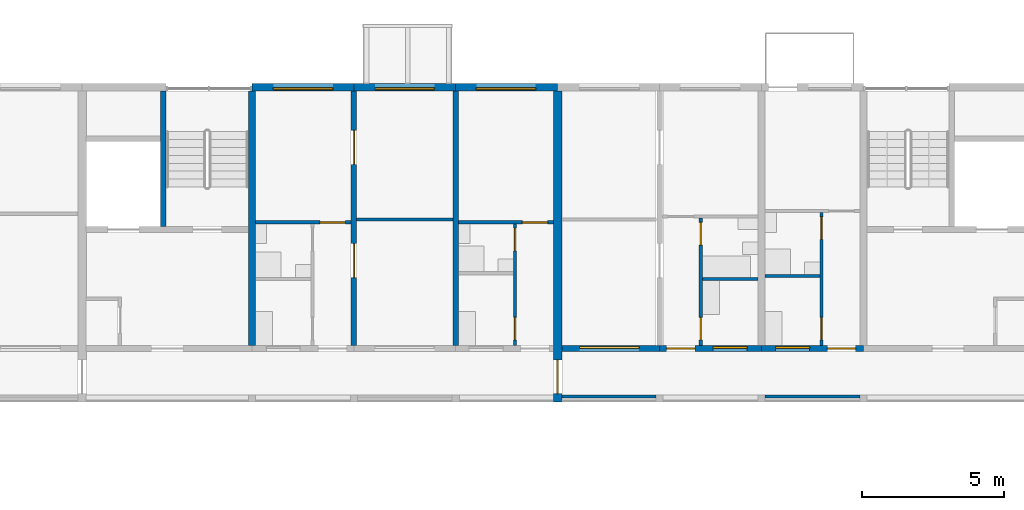
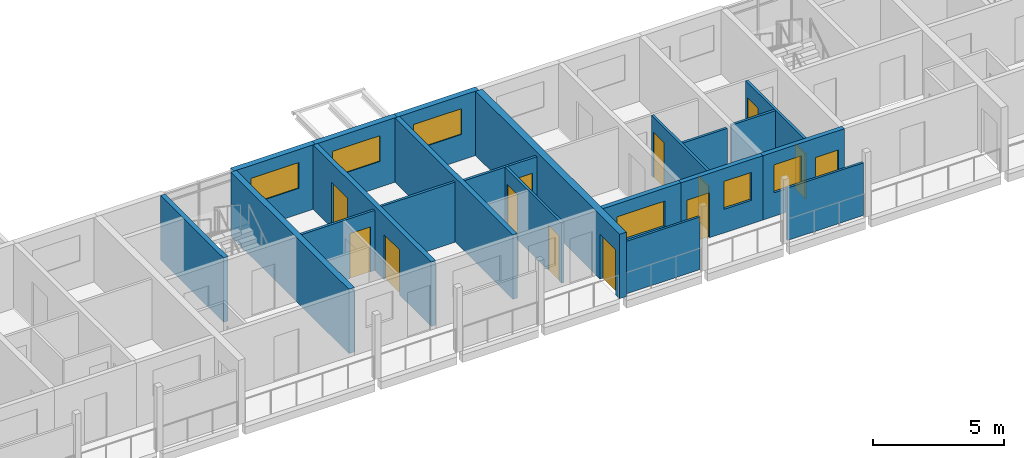
# One storey, part 63 of 122: 21 walls, 13 doors, 6 windows, 19 openings.
"""IFC4 building model written with IfcOpenShell, lengths in metres."""

from ifc_helpers import new_model, si_unit, direction, frame, frame_2d, origin, place, context, subcontext, project, spatial, rectangle, extrude, material, layer, layer_set, type_object, element, fill, save


model = new_model("IFC4")

# Units and contexts
model_context = context("Model", 3, precision=1e-05, world=origin(), true_north=direction((0.0, 1.0)))
body_context = subcontext(model_context, "Body", "Model", "MODEL_VIEW")
ifc_project = project(units=[si_unit("LENGTHUNIT", "METRE"), si_unit("AREAUNIT", "SQUARE_METRE"), si_unit("VOLUMEUNIT", "CUBIC_METRE"), si_unit("PLANEANGLEUNIT", "RADIAN"), si_unit("MASSUNIT", "GRAM", prefix="KILO")], contexts=[model_context])

# Site, building, storey
site_placement = place(None, origin())
site = spatial("IfcSite", under=ifc_project, at=site_placement, CompositionType="ELEMENT")
building_placement = place(site_placement, origin())
building = spatial("IfcBuilding", under=site, at=building_placement, Name="Ridgestep Commons", CompositionType="ELEMENT")
storey_placement = place(building_placement, frame((0.0, 0.0, 3.0)))
storey = spatial("IfcBuildingStorey", under=building, at=storey_placement, Name="L01", CompositionType="ELEMENT", Elevation=3.0)

# Walls
ifc_material_1 = material(Name="Concrete C30/37", Category="concrete")
ifc_layer_1 = layer(ifc_material_1, 0.25)
ifc_layer_set_1 = layer_set([ifc_layer_1], Name="Core cross wall 250")
wall_type_1 = type_object("IfcWallType", Name="Core cross wall 250", PredefinedType="SHEAR", material=ifc_layer_set_1)
wall_1_placement = place(storey_placement, frame((51.60009765625, 68.0, 0.0), z_axis=(0.0, 0.0, 1.0), x_axis=(0.0, 1.0, 0.0)))
element("IfcWall", 1, at=wall_1_placement, inside=storey, type_object=wall_type_1, Name="Cross wall B-01-0516", PredefinedType="SHEAR", context=body_context, shape_type="SweptSolid", body=[
    extrude(rectangle(XDim=9.0, YDim=0.25, at=frame_2d((4.5, 0.0))), origin(), (0.0, 0.0, 1.0), 3.0),
])
ifc_material_2 = material(Name="Concrete C30/37", Category="concrete")
ifc_layer_2 = layer(ifc_material_2, 0.199951171875)
ifc_layer_set_2 = layer_set([ifc_layer_2], Name="Core wall 200")
wall_type_2 = type_object("IfcWallType", Name="Core wall 200", PredefinedType="SHEAR", material=ifc_layer_set_2)
wall_2_placement = place(storey_placement, frame((48.47509765625, 72.199951171875, 0.0), z_axis=(0.0, 0.0, 1.0), x_axis=(0.0, 1.0, 0.0)))
element("IfcWall", 2, at=wall_2_placement, inside=storey, type_object=wall_type_2, Name="Core stair wall B3C L01", PredefinedType="SHEAR", context=body_context, shape_type="SweptSolid", body=[
    extrude(rectangle(XDim=4.800048828125, YDim=0.199951171875, at=frame_2d((2.39990234375, 0.0))), origin(), (0.0, 0.0, 1.0), 3.0),
])

# Wall, openings, doors
ifc_material_3 = material(Name="Precast concrete C40/50", Category="concrete")
ifc_layer_3 = layer(ifc_material_3, 0.199951171875)
ifc_layer_set_3 = layer_set([ifc_layer_3], Name="Cross wall 200")
wall_type_3 = type_object("IfcWallType", Name="Cross wall 200", PredefinedType="SHEAR", material=ifc_layer_set_3)
wall_3_placement = place(storey_placement, frame((55.199951171875, 68.0, 0.0), z_axis=(0.0, 0.0, 1.0), x_axis=(0.0, 1.0, 0.0)))
wall_3 = element("IfcWall", 3, at=wall_3_placement, inside=storey, type_object=wall_type_3, Name="Cross wall B-01-0552", PredefinedType="SHEAR", context=body_context, shape_type="SweptSolid", body=[
    extrude(rectangle(XDim=9.0, YDim=0.199951171875, at=frame_2d((4.5, 0.0))), origin(), (0.0, 0.0, 1.0), 3.0),
])
opening_1_placement = place(wall_3_placement, frame((2.39990234375, 0.0, 0.0)))
opening_1 = element("IfcOpeningElement", 4, at=opening_1_placement, cuts=wall_3, Name="Opening B3-01b/5", PredefinedType="OPENING", context=body_context, shape_type="SweptSolid", body=[
    extrude(rectangle(XDim=1.199951171875, YDim=2.10009765625, at=frame_2d((0.60009765625, 1.050048828125))), frame((0.0, 0.10986328125, 0.0), z_axis=(0.0, -1.0, 0.0), x_axis=(1.0, 0.0, 0.0)), (0.0, 0.0, 1.0), 0.219970703125),
])
opening_2_placement = place(wall_3_placement, frame((6.39990234375, 0.0, 0.0)))
opening_2 = element("IfcOpeningElement", 5, at=opening_2_placement, cuts=wall_3, Name="Opening B3-01b/6", PredefinedType="OPENING", context=body_context, shape_type="SweptSolid", body=[
    extrude(rectangle(XDim=1.199951171875, YDim=2.10009765625, at=frame_2d((0.60009765625, 1.050048828125))), frame((0.0, 0.10986328125, 0.0), z_axis=(0.0, -1.0, 0.0), x_axis=(1.0, 0.0, 0.0)), (0.0, 0.0, 1.0), 0.219970703125),
])
ifc_material_4 = material(Name="Timber door leaf", Category="wood")
door_type_1 = type_object("IfcDoorType", Name="Double door 1200 x 2100", OperationType="DOUBLE_DOOR_SINGLE_SWING", PredefinedType="DOOR", material=ifc_material_4)
door_1_placement = place(opening_1_placement, origin())
door_1 = element("IfcDoor", 6, at=door_1_placement, inside=storey, type_object=door_type_1, Name="Double door B3-01b/5", OperationType="DOUBLE_DOOR_SINGLE_SWING", OverallHeight=2.10009765625, OverallWidth=1.199951171875, PredefinedType="DOOR", context=body_context, shape_type="SweptSolid", body=[
    extrude(rectangle(XDim=1.199951171875, YDim=2.10009765625, at=frame_2d((0.60009765625, 1.050048828125))), frame((0.0, 0.02490234375, 0.0), z_axis=(0.0, -1.0, 0.0), x_axis=(1.0, 0.0, 0.0)), (0.0, 0.0, 1.0), 0.050048828125),
])
fill(opening_1, door_1)
door_2_placement = place(opening_2_placement, origin())
door_2 = element("IfcDoor", 7, at=door_2_placement, inside=storey, type_object=door_type_1, Name="Double door B3-01b/6", OperationType="DOUBLE_DOOR_SINGLE_SWING", OverallHeight=2.10009765625, OverallWidth=1.199951171875, PredefinedType="DOOR", context=body_context, shape_type="SweptSolid", body=[
    extrude(rectangle(XDim=1.199951171875, YDim=2.10009765625, at=frame_2d((0.60009765625, 1.050048828125))), frame((0.0, 0.02490234375, 0.0), z_axis=(0.0, -1.0, 0.0), x_axis=(1.0, 0.0, 0.0)), (0.0, 0.0, 1.0), 0.050048828125),
])
fill(opening_2, door_2)

# Wall
wall_4_placement = place(storey_placement, frame((58.800048828125, 68.0, 0.0), z_axis=(0.0, 0.0, 1.0), x_axis=(0.0, 1.0, 0.0)))
element("IfcWall", 8, at=wall_4_placement, inside=storey, type_object=wall_type_3, Name="Cross wall B-01-0588", PredefinedType="SHEAR", context=body_context, shape_type="SweptSolid", body=[
    extrude(rectangle(XDim=9.0, YDim=0.199951171875, at=frame_2d((4.5, 0.0))), origin(), (0.0, 0.0, 1.0), 3.0),
])

# Wall, opening, door
ifc_material_5 = material(Name="Precast concrete C40/50", Category="concrete")
ifc_layer_4 = layer(ifc_material_5, 0.300048828125)
ifc_layer_set_4 = layer_set([ifc_layer_4], Name="Division wall 300")
wall_type_4 = type_object("IfcWallType", Name="Division wall 300", PredefinedType="SHEAR", material=ifc_layer_set_4)
wall_5_placement = place(storey_placement, frame((62.39990234375, 66.0, 0.0), z_axis=(0.0, 0.0, 1.0), x_axis=(0.0, 1.0, 0.0)))
wall_5 = element("IfcWall", 9, at=wall_5_placement, inside=storey, type_object=wall_type_4, Name="Cross wall B-01-0624", PredefinedType="SHEAR", context=body_context, shape_type="SweptSolid", body=[
    extrude(rectangle(XDim=11.0, YDim=0.300048828125, at=frame_2d((5.5, 0.0))), origin(), (0.0, 0.0, 1.0), 3.0),
])
opening_3_placement = place(wall_5_placement, frame((0.300048828125, 0.0, 0.0)))
opening_3 = element("IfcOpeningElement", 10, at=opening_3_placement, cuts=wall_5, Name="Opening B/01/G0624", PredefinedType="OPENING", context=body_context, shape_type="SweptSolid", body=[
    extrude(rectangle(XDim=1.199951171875, YDim=2.10009765625, at=frame_2d((0.60009765625, 1.050048828125))), frame((0.0, 0.159912109375, 0.0), z_axis=(0.0, -1.0, 0.0), x_axis=(1.0, 0.0, 0.0)), (0.0, 0.0, 1.0), 0.320068359375),
])
ifc_material_6 = material(Name="Steel fire door", Category="steel")
door_type_2 = type_object("IfcDoorType", Name="Division fire door 1200 x 2100 EI 240", OperationType="DOUBLE_DOOR_SINGLE_SWING", PredefinedType="DOOR", material=ifc_material_6)
door_3_placement = place(opening_3_placement, origin())
door_3 = element("IfcDoor", 11, at=door_3_placement, inside=storey, type_object=door_type_2, Name="Division fire door B/01/G0624", OperationType="DOUBLE_DOOR_SINGLE_SWING", OverallHeight=2.10009765625, OverallWidth=1.199951171875, PredefinedType="DOOR", context=body_context, shape_type="SweptSolid", body=[
    extrude(rectangle(XDim=1.199951171875, YDim=2.10009765625, at=frame_2d((0.60009765625, 1.050048828125))), frame((0.0, 0.02490234375, 0.0), z_axis=(0.0, -1.0, 0.0), x_axis=(1.0, 0.0, 0.0)), (0.0, 0.0, 1.0), 0.050048828125),
])
fill(opening_3, door_3)

# Wall, opening, window
ifc_material_7 = material(Name="Precast concrete C40/50", Category="concrete")
ifc_layer_5 = layer(ifc_material_7, 0.25)
ifc_layer_set_5 = layer_set([ifc_layer_5], Name="North facade panel 250")
wall_type_5 = type_object("IfcWallType", Name="North facade panel 250", PredefinedType="SOLIDWALL", material=ifc_layer_set_5)
wall_6_placement = place(storey_placement, frame((51.60009765625, 77.125, 0.0), z_axis=(0.0, 0.0, 1.0), x_axis=(1.0, 0.0, 0.0)))
wall_6 = element("IfcWall", 12, at=wall_6_placement, inside=storey, type_object=wall_type_5, Name="North panel B3T3 L01", PredefinedType="SOLIDWALL", context=body_context, shape_type="SweptSolid", body=[
    extrude(rectangle(XDim=3.599853515625, YDim=0.25, at=frame_2d((1.7998046875, 0.0))), origin(), (0.0, 0.0, 1.0), 3.0),
])
opening_4_placement = place(wall_6_placement, frame((0.762451171875, 0.0, 1.199951171875)))
opening_4 = element("IfcOpeningElement", 13, at=opening_4_placement, cuts=wall_6, Name="Opening W22", PredefinedType="OPENING", context=body_context, shape_type="SweptSolid", body=[
    extrude(rectangle(XDim=2.10009765625, YDim=1.199951171875, at=frame_2d((1.050048828125, 0.60009765625))), frame((0.0, 0.135009765625, 0.0), z_axis=(0.0, -1.0, 0.0), x_axis=(1.0, 0.0, 0.0)), (0.0, 0.0, 1.0), 0.27001953125),
])
ifc_material_8 = material(Name="Aluminium 6063-T6 and glass", Category="aluminium")
window_type_1 = type_object("IfcWindowType", Name="Flat window 2100 x 1200", PartitioningType="DOUBLE_PANEL_VERTICAL", PredefinedType="WINDOW", material=ifc_material_8)
window_1_placement = place(opening_4_placement, origin())
window_1 = element("IfcWindow", 14, at=window_1_placement, inside=storey, type_object=window_type_1, Name="Window B3-01b 4", OverallHeight=1.199951171875, OverallWidth=2.10009765625, PartitioningType="SINGLE_PANEL", PredefinedType="WINDOW", context=body_context, shape_type="SweptSolid", body=[
    extrude(rectangle(XDim=2.10009765625, YDim=1.199951171875, at=frame_2d((1.050048828125, 0.60009765625))), frame((0.0, -0.02490234375, 0.0), z_axis=(0.0, -1.0, 0.0), x_axis=(1.0, 0.0, 0.0)), (0.0, 0.0, 1.0), 0.06005859375),
])
fill(opening_4, window_1)

wall_7_placement = place(storey_placement, frame((55.199951171875, 77.125, 0.0), z_axis=(0.0, 0.0, 1.0), x_axis=(1.0, 0.0, 0.0)))
wall_7 = element("IfcWall", 15, at=wall_7_placement, inside=storey, type_object=wall_type_5, Name="North panel B3T2 L01", PredefinedType="SOLIDWALL", context=body_context, shape_type="SweptSolid", body=[
    extrude(rectangle(XDim=3.60009765625, YDim=0.25, at=frame_2d((1.800048828125, 0.0))), origin(), (0.0, 0.0, 1.0), 3.0),
])
opening_5_placement = place(wall_7_placement, frame((0.75, 0.0, 1.199951171875)))
opening_5 = element("IfcOpeningElement", 16, at=opening_5_placement, cuts=wall_7, Name="Opening W22", PredefinedType="OPENING", context=body_context, shape_type="SweptSolid", body=[
    extrude(rectangle(XDim=2.10009765625, YDim=1.199951171875, at=frame_2d((1.050048828125, 0.60009765625))), frame((0.0, 0.135009765625, 0.0), z_axis=(0.0, -1.0, 0.0), x_axis=(1.0, 0.0, 0.0)), (0.0, 0.0, 1.0), 0.27001953125),
])
window_2_placement = place(opening_5_placement, origin())
window_2 = element("IfcWindow", 17, at=window_2_placement, inside=storey, type_object=window_type_1, Name="Window B3-01b 2", OverallHeight=1.199951171875, OverallWidth=2.10009765625, PartitioningType="SINGLE_PANEL", PredefinedType="WINDOW", context=body_context, shape_type="SweptSolid", body=[
    extrude(rectangle(XDim=2.10009765625, YDim=1.199951171875, at=frame_2d((1.050048828125, 0.60009765625))), frame((0.0, -0.02490234375, 0.0), z_axis=(0.0, -1.0, 0.0), x_axis=(1.0, 0.0, 0.0)), (0.0, 0.0, 1.0), 0.06005859375),
])
fill(opening_5, window_2)

wall_8_placement = place(storey_placement, frame((58.800048828125, 77.125, 0.0), z_axis=(0.0, 0.0, 1.0), x_axis=(1.0, 0.0, 0.0)))
wall_8 = element("IfcWall", 18, at=wall_8_placement, inside=storey, type_object=wall_type_5, Name="North panel B3T1 L01", PredefinedType="SOLIDWALL", context=body_context, shape_type="SweptSolid", body=[
    extrude(rectangle(XDim=3.599853515625, YDim=0.25, at=frame_2d((1.7998046875, 0.0))), origin(), (0.0, 0.0, 1.0), 3.0),
])
opening_6_placement = place(wall_8_placement, frame((0.72509765625, 0.0, 1.199951171875)))
opening_6 = element("IfcOpeningElement", 19, at=opening_6_placement, cuts=wall_8, Name="Opening W22", PredefinedType="OPENING", context=body_context, shape_type="SweptSolid", body=[
    extrude(rectangle(XDim=2.10009765625, YDim=1.199951171875, at=frame_2d((1.050048828125, 0.60009765625))), frame((0.0, 0.135009765625, 0.0), z_axis=(0.0, -1.0, 0.0), x_axis=(1.0, 0.0, 0.0)), (0.0, 0.0, 1.0), 0.27001953125),
])
window_3_placement = place(opening_6_placement, origin())
window_3 = element("IfcWindow", 20, at=window_3_placement, inside=storey, type_object=window_type_1, Name="Window B3-01a 2", OverallHeight=1.199951171875, OverallWidth=2.10009765625, PartitioningType="SINGLE_PANEL", PredefinedType="WINDOW", context=body_context, shape_type="SweptSolid", body=[
    extrude(rectangle(XDim=2.10009765625, YDim=1.199951171875, at=frame_2d((1.050048828125, 0.60009765625))), frame((0.0, -0.02490234375, 0.0), z_axis=(0.0, -1.0, 0.0), x_axis=(1.0, 0.0, 0.0)), (0.0, 0.0, 1.0), 0.06005859375),
])
fill(opening_6, window_3)

# Wall, openings, doors
ifc_material_9 = material(Name="Common brick 110 mm", Category="masonry")
ifc_layer_6 = layer(ifc_material_9, 0.110107421875)
ifc_layer_set_6 = layer_set([ifc_layer_6], Name="Partition 110")
wall_type_6 = type_object("IfcWallType", Name="Partition 110", PredefinedType="PARTITIONING", material=ifc_layer_set_6)
wall_9_placement = place(storey_placement, frame((60.89501953125, 68.0, 0.0), z_axis=(0.0, 0.0, 1.0), x_axis=(0.0, 1.0, 0.0)))
wall_9 = element("IfcWall", 21, at=wall_9_placement, inside=storey, type_object=wall_type_6, Name="Partition B3-01a", PredefinedType="PARTITIONING", context=body_context, shape_type="SweptSolid", body=[
    extrude(rectangle(XDim=4.300048828125, YDim=0.110107421875, at=frame_2d((2.14990234375, 0.0))), origin(), (0.0, 0.0, 1.0), 2.800048828125),
])
opening_7_placement = place(wall_9_placement, frame((0.199951171875, 0.0, 0.0)))
opening_7 = element("IfcOpeningElement", 22, at=opening_7_placement, cuts=wall_9, Name="Opening B3-01a/2", PredefinedType="OPENING", context=body_context, shape_type="SweptSolid", body=[
    extrude(rectangle(XDim=0.800048828125, YDim=2.10009765625, at=frame_2d((0.39990234375, 1.050048828125))), frame((0.0, 0.06494140625, 0.0), z_axis=(0.0, -1.0, 0.0), x_axis=(1.0, 0.0, 0.0)), (0.0, 0.0, 1.0), 0.130126953125),
])
opening_8_placement = place(wall_9_placement, frame((3.35009765625, 0.0, 0.0)))
opening_8 = element("IfcOpeningElement", 23, at=opening_8_placement, cuts=wall_9, Name="Opening B3-01a/3", PredefinedType="OPENING", context=body_context, shape_type="SweptSolid", body=[
    extrude(rectangle(XDim=0.800048828125, YDim=2.10009765625, at=frame_2d((0.39990234375, 1.050048828125))), frame((0.0, 0.06494140625, 0.0), z_axis=(0.0, -1.0, 0.0), x_axis=(1.0, 0.0, 0.0)), (0.0, 0.0, 1.0), 0.130126953125),
])
ifc_material_10 = material(Name="Timber door leaf", Category="wood")
door_type_3 = type_object("IfcDoorType", Name="Internal door 800 x 2100", OperationType="NOTDEFINED", PredefinedType="DOOR", material=ifc_material_10)
door_4_placement = place(opening_7_placement, origin())
door_4 = element("IfcDoor", 24, at=door_4_placement, inside=storey, type_object=door_type_3, Name="Internal door B3-01a/2", OperationType="SINGLE_SWING_LEFT", OverallHeight=2.10009765625, OverallWidth=0.800048828125, PredefinedType="DOOR", context=body_context, shape_type="SweptSolid", body=[
    extrude(rectangle(XDim=0.800048828125, YDim=2.10009765625, at=frame_2d((0.39990234375, 1.050048828125))), frame((0.0, 0.02490234375, 0.0), z_axis=(0.0, -1.0, 0.0), x_axis=(1.0, 0.0, 0.0)), (0.0, 0.0, 1.0), 0.050048828125),
])
fill(opening_7, door_4)
door_5_placement = place(opening_8_placement, origin())
door_5 = element("IfcDoor", 25, at=door_5_placement, inside=storey, type_object=door_type_3, Name="Internal door B3-01a/3", OperationType="SINGLE_SWING_RIGHT", OverallHeight=2.10009765625, OverallWidth=0.800048828125, PredefinedType="DOOR", context=body_context, shape_type="SweptSolid", body=[
    extrude(rectangle(XDim=0.800048828125, YDim=2.10009765625, at=frame_2d((0.39990234375, 1.050048828125))), frame((0.0, 0.02490234375, 0.0), z_axis=(0.0, -1.0, 0.0), x_axis=(1.0, 0.0, 0.0)), (0.0, 0.0, 1.0), 0.050048828125),
])
fill(opening_8, door_5)

# Wall, opening, door
wall_10_placement = place(storey_placement, frame((58.89990234375, 72.35498046875, 0.0), z_axis=(0.0, 0.0, 1.0), x_axis=(1.0, 0.0, 0.0)))
wall_10 = element("IfcWall", 26, at=wall_10_placement, inside=storey, type_object=wall_type_6, Name="Partition B3-01a", PredefinedType="PARTITIONING", context=body_context, shape_type="SweptSolid", body=[
    extrude(rectangle(XDim=3.35009765625, YDim=0.110107421875, at=frame_2d((1.675048828125, 0.0))), origin(), (0.0, 0.0, 1.0), 2.800048828125),
])
opening_9_placement = place(wall_10_placement, frame((2.25, 0.0, 0.0)))
opening_9 = element("IfcOpeningElement", 27, at=opening_9_placement, cuts=wall_10, Name="Opening B3-01a/4", PredefinedType="OPENING", context=body_context, shape_type="SweptSolid", body=[
    extrude(rectangle(XDim=0.89990234375, YDim=2.10009765625, at=frame_2d((0.449951171875, 1.050048828125))), frame((0.0, 0.06494140625, 0.0), z_axis=(0.0, -1.0, 0.0), x_axis=(1.0, 0.0, 0.0)), (0.0, 0.0, 1.0), 0.130126953125),
])
ifc_material_11 = material(Name="Timber door leaf", Category="wood")
door_type_4 = type_object("IfcDoorType", Name="Internal door 900 x 2100", OperationType="NOTDEFINED", PredefinedType="DOOR", material=ifc_material_11)
door_6_placement = place(opening_9_placement, origin())
door_6 = element("IfcDoor", 28, at=door_6_placement, inside=storey, type_object=door_type_4, Name="Internal door B3-01a/4", OperationType="SINGLE_SWING_LEFT", OverallHeight=2.10009765625, OverallWidth=0.89990234375, PredefinedType="DOOR", context=body_context, shape_type="SweptSolid", body=[
    extrude(rectangle(XDim=0.89990234375, YDim=2.10009765625, at=frame_2d((0.449951171875, 1.050048828125))), frame((0.0, 0.02490234375, 0.0), z_axis=(0.0, -1.0, 0.0), x_axis=(1.0, 0.0, 0.0)), (0.0, 0.0, 1.0), 0.050048828125),
])
fill(opening_9, door_6)

wall_11_placement = place(storey_placement, frame((51.72509765625, 72.35498046875, 0.0), z_axis=(0.0, 0.0, 1.0), x_axis=(1.0, 0.0, 0.0)))
wall_11 = element("IfcWall", 29, at=wall_11_placement, inside=storey, type_object=wall_type_6, Name="Partition B3-01b", PredefinedType="PARTITIONING", context=body_context, shape_type="SweptSolid", body=[
    extrude(rectangle(XDim=3.375, YDim=0.110107421875, at=frame_2d((1.6875, 0.0))), origin(), (0.0, 0.0, 1.0), 2.800048828125),
])
opening_10_placement = place(wall_11_placement, frame((2.27490234375, 0.0, 0.0)))
opening_10 = element("IfcOpeningElement", 30, at=opening_10_placement, cuts=wall_11, Name="Opening B3-01b/4", PredefinedType="OPENING", context=body_context, shape_type="SweptSolid", body=[
    extrude(rectangle(XDim=0.89990234375, YDim=2.10009765625, at=frame_2d((0.449951171875, 1.050048828125))), frame((0.0, 0.06494140625, 0.0), z_axis=(0.0, -1.0, 0.0), x_axis=(1.0, 0.0, 0.0)), (0.0, 0.0, 1.0), 0.130126953125),
])
door_7_placement = place(opening_10_placement, origin())
door_7 = element("IfcDoor", 31, at=door_7_placement, inside=storey, type_object=door_type_4, Name="Internal door B3-01b/4", OperationType="SINGLE_SWING_LEFT", OverallHeight=2.10009765625, OverallWidth=0.89990234375, PredefinedType="DOOR", context=body_context, shape_type="SweptSolid", body=[
    extrude(rectangle(XDim=0.89990234375, YDim=2.10009765625, at=frame_2d((0.449951171875, 1.050048828125))), frame((0.0, 0.02490234375, 0.0), z_axis=(0.0, -1.0, 0.0), x_axis=(1.0, 0.0, 0.0)), (0.0, 0.0, 1.0), 0.050048828125),
])
fill(opening_10, door_7)

# Wall
wall_12_placement = place(storey_placement, frame((55.300048828125, 72.455078125, 0.0), z_axis=(0.0, 0.0, 1.0), x_axis=(1.0, 0.0, 0.0)))
element("IfcWall", 32, at=wall_12_placement, inside=storey, type_object=wall_type_6, Name="Partition B3-01b", PredefinedType="PARTITIONING", context=body_context, shape_type="SweptSolid", body=[
    extrude(rectangle(XDim=3.39990234375, YDim=0.110107421875, at=frame_2d((1.699951171875, 0.0))), origin(), (0.0, 0.0, 1.0), 2.800048828125),
])

# Wall, openings, doors
wall_13_placement = place(storey_placement, frame((67.455078125, 68.0, 0.0), z_axis=(0.0, 0.0, 1.0), x_axis=(0.0, 1.0, 0.0)))
wall_13 = element("IfcWall", 33, at=wall_13_placement, inside=storey, type_object=wall_type_6, Name="Partition B4-01a", PredefinedType="PARTITIONING", context=body_context, shape_type="SweptSolid", body=[
    extrude(rectangle(XDim=4.5, YDim=0.110107421875, at=frame_2d((2.25, 0.0))), origin(), (0.0, 0.0, 1.0), 2.800048828125),
])
opening_11_placement = place(wall_13_placement, frame((0.199951171875, 0.0, 0.0)))
opening_11 = element("IfcOpeningElement", 34, at=opening_11_placement, cuts=wall_13, Name="Opening B4-01a/2", PredefinedType="OPENING", context=body_context, shape_type="SweptSolid", body=[
    extrude(rectangle(XDim=0.800048828125, YDim=2.10009765625, at=frame_2d((0.39990234375, 1.050048828125))), frame((0.0, 0.06494140625, 0.0), z_axis=(0.0, -1.0, 0.0), x_axis=(1.0, 0.0, 0.0)), (0.0, 0.0, 1.0), 0.130126953125),
])
opening_12_placement = place(wall_13_placement, frame((3.550048828125, 0.0, 0.0)))
opening_12 = element("IfcOpeningElement", 35, at=opening_12_placement, cuts=wall_13, Name="Opening B4-01a/3", PredefinedType="OPENING", context=body_context, shape_type="SweptSolid", body=[
    extrude(rectangle(XDim=0.800048828125, YDim=2.10009765625, at=frame_2d((0.39990234375, 1.050048828125))), frame((0.0, 0.06494140625, 0.0), z_axis=(0.0, -1.0, 0.0), x_axis=(1.0, 0.0, 0.0)), (0.0, 0.0, 1.0), 0.130126953125),
])
door_8_placement = place(opening_11_placement, origin())
door_8 = element("IfcDoor", 36, at=door_8_placement, inside=storey, type_object=door_type_3, Name="Internal door B4-01a/2", OperationType="SINGLE_SWING_RIGHT", OverallHeight=2.10009765625, OverallWidth=0.800048828125, PredefinedType="DOOR", context=body_context, shape_type="SweptSolid", body=[
    extrude(rectangle(XDim=0.800048828125, YDim=2.10009765625, at=frame_2d((0.39990234375, 1.050048828125))), frame((0.0, 0.02490234375, 0.0), z_axis=(0.0, -1.0, 0.0), x_axis=(1.0, 0.0, 0.0)), (0.0, 0.0, 1.0), 0.050048828125),
])
fill(opening_11, door_8)
door_9_placement = place(opening_12_placement, origin())
door_9 = element("IfcDoor", 37, at=door_9_placement, inside=storey, type_object=door_type_3, Name="Internal door B4-01a/3", OperationType="SINGLE_SWING_LEFT", OverallHeight=2.10009765625, OverallWidth=0.800048828125, PredefinedType="DOOR", context=body_context, shape_type="SweptSolid", body=[
    extrude(rectangle(XDim=0.800048828125, YDim=2.10009765625, at=frame_2d((0.39990234375, 1.050048828125))), frame((0.0, 0.02490234375, 0.0), z_axis=(0.0, -1.0, 0.0), x_axis=(1.0, 0.0, 0.0)), (0.0, 0.0, 1.0), 0.050048828125),
])
fill(opening_12, door_9)

# Walls
wall_14_placement = place(storey_placement, frame((67.510009765625, 70.35498046875, 0.0), z_axis=(0.0, 0.0, 1.0), x_axis=(1.0, 0.0, 0.0)))
element("IfcWall", 38, at=wall_14_placement, inside=storey, type_object=wall_type_6, Name="Partition B4-01a", PredefinedType="PARTITIONING", context=body_context, shape_type="SweptSolid", body=[
    extrude(rectangle(XDim=1.965087890625, YDim=0.110107421875, at=frame_2d((0.982421875, 0.0))), origin(), (0.0, 0.0, 1.0), 2.800048828125),
])
wall_15_placement = place(storey_placement, frame((69.72509765625, 70.455078125, 0.0), z_axis=(0.0, 0.0, 1.0), x_axis=(1.0, 0.0, 0.0)))
element("IfcWall", 39, at=wall_15_placement, inside=storey, type_object=wall_type_6, Name="Partition B4-01b", PredefinedType="PARTITIONING", context=body_context, shape_type="SweptSolid", body=[
    extrude(rectangle(XDim=1.93994140625, YDim=0.110107421875, at=frame_2d((0.969970703125, 0.0))), origin(), (0.0, 0.0, 1.0), 2.800048828125),
])

# Wall, openings, doors
wall_16_placement = place(storey_placement, frame((71.719970703125, 68.0, 0.0), z_axis=(0.0, 0.0, 1.0), x_axis=(0.0, 1.0, 0.0)))
wall_16 = element("IfcWall", 40, at=wall_16_placement, inside=storey, type_object=wall_type_6, Name="Partition B4-01b", PredefinedType="PARTITIONING", context=body_context, shape_type="SweptSolid", body=[
    extrude(rectangle(XDim=4.699951171875, YDim=0.110107421875, at=frame_2d((2.35009765625, 0.0))), origin(), (0.0, 0.0, 1.0), 2.800048828125),
])
opening_13_placement = place(wall_16_placement, frame((0.199951171875, 0.0, 0.0)))
opening_13 = element("IfcOpeningElement", 41, at=opening_13_placement, cuts=wall_16, Name="Opening B4-01b/2", PredefinedType="OPENING", context=body_context, shape_type="SweptSolid", body=[
    extrude(rectangle(XDim=0.800048828125, YDim=2.10009765625, at=frame_2d((0.39990234375, 1.050048828125))), frame((0.0, 0.06494140625, 0.0), z_axis=(0.0, -1.0, 0.0), x_axis=(1.0, 0.0, 0.0)), (0.0, 0.0, 1.0), 0.130126953125),
])
opening_14_placement = place(wall_16_placement, frame((3.75, 0.0, 0.0)))
opening_14 = element("IfcOpeningElement", 42, at=opening_14_placement, cuts=wall_16, Name="Opening B4-01b/3", PredefinedType="OPENING", context=body_context, shape_type="SweptSolid", body=[
    extrude(rectangle(XDim=0.800048828125, YDim=2.10009765625, at=frame_2d((0.39990234375, 1.050048828125))), frame((0.0, 0.06494140625, 0.0), z_axis=(0.0, -1.0, 0.0), x_axis=(1.0, 0.0, 0.0)), (0.0, 0.0, 1.0), 0.130126953125),
])
door_10_placement = place(opening_13_placement, origin())
door_10 = element("IfcDoor", 43, at=door_10_placement, inside=storey, type_object=door_type_3, Name="Internal door B4-01b/2", OperationType="SINGLE_SWING_LEFT", OverallHeight=2.10009765625, OverallWidth=0.800048828125, PredefinedType="DOOR", context=body_context, shape_type="SweptSolid", body=[
    extrude(rectangle(XDim=0.800048828125, YDim=2.10009765625, at=frame_2d((0.39990234375, 1.050048828125))), frame((0.0, 0.02490234375, 0.0), z_axis=(0.0, -1.0, 0.0), x_axis=(1.0, 0.0, 0.0)), (0.0, 0.0, 1.0), 0.050048828125),
])
fill(opening_13, door_10)
door_11_placement = place(opening_14_placement, origin())
door_11 = element("IfcDoor", 44, at=door_11_placement, inside=storey, type_object=door_type_3, Name="Internal door B4-01b/3", OperationType="SINGLE_SWING_RIGHT", OverallHeight=2.10009765625, OverallWidth=0.800048828125, PredefinedType="DOOR", context=body_context, shape_type="SweptSolid", body=[
    extrude(rectangle(XDim=0.800048828125, YDim=2.10009765625, at=frame_2d((0.39990234375, 1.050048828125))), frame((0.0, 0.02490234375, 0.0), z_axis=(0.0, -1.0, 0.0), x_axis=(1.0, 0.0, 0.0)), (0.0, 0.0, 1.0), 0.050048828125),
])
fill(opening_14, door_11)

# Walls
ifc_material_12 = material(Name="Precast concrete C30/37", Category="concrete")
ifc_layer_7 = layer(ifc_material_12, 0.10009765625)
ifc_layer_set_7 = layer_set([ifc_layer_7], Name="Perforated gallery screen 3325 x 2450 x 100")
wall_type_7 = type_object("IfcWallType", Name="Perforated gallery screen 3325 x 2450 x 100", PredefinedType="SOLIDWALL", material=ifc_layer_set_7)
wall_17_placement = place(storey_placement, frame((62.550048828125, 66.199951171875, 0.0), z_axis=(0.0, 0.0, 1.0), x_axis=(1.0, 0.0, 0.0)))
element("IfcWall", 45, at=wall_17_placement, inside=storey, type_object=wall_type_7, Name="Gallery screen B4T1 01", PredefinedType="SOLIDWALL", context=body_context, shape_type="SweptSolid", body=[
    extrude(rectangle(XDim=3.324951171875, YDim=0.10009765625, at=frame_2d((1.66259765625, 0.0))), origin(), (0.0, 0.0, 1.0), 2.449951171875),
])
ifc_material_13 = material(Name="Precast concrete C30/37", Category="concrete")
ifc_layer_8 = layer(ifc_material_13, 0.10009765625)
ifc_layer_set_8 = layer_set([ifc_layer_8], Name="Perforated gallery screen 3350 x 2450 x 100")
wall_type_8 = type_object("IfcWallType", Name="Perforated gallery screen 3350 x 2450 x 100", PredefinedType="SOLIDWALL", material=ifc_layer_set_8)
wall_18_placement = place(storey_placement, frame((69.72509765625, 66.199951171875, 0.0), z_axis=(0.0, 0.0, 1.0), x_axis=(1.0, 0.0, 0.0)))
element("IfcWall", 46, at=wall_18_placement, inside=storey, type_object=wall_type_8, Name="Gallery screen B4T3 01", PredefinedType="SOLIDWALL", context=body_context, shape_type="SweptSolid", body=[
    extrude(rectangle(XDim=3.349853515625, YDim=0.10009765625, at=frame_2d((1.6748046875, 0.0))), origin(), (0.0, 0.0, 1.0), 2.449951171875),
])

# Wall, opening, window
ifc_material_14 = material(Name="Precast concrete C40/50", Category="concrete")
ifc_layer_9 = layer(ifc_material_14, 0.199951171875)
ifc_layer_set_9 = layer_set([ifc_layer_9], Name="South facade panel 200")
wall_type_9 = type_object("IfcWallType", Name="South facade panel 200", PredefinedType="SOLIDWALL", material=ifc_layer_set_9)
wall_19_placement = place(storey_placement, frame((62.550048828125, 67.89990234375, 0.0), z_axis=(0.0, 0.0, 1.0), x_axis=(1.0, 0.0, 0.0)))
wall_19 = element("IfcWall", 47, at=wall_19_placement, inside=storey, type_object=wall_type_9, Name="South panel B4T1 L01", PredefinedType="SOLIDWALL", context=body_context, shape_type="SweptSolid", body=[
    extrude(rectangle(XDim=3.449951171875, YDim=0.199951171875, at=frame_2d((1.72509765625, 0.0))), origin(), (0.0, 0.0, 1.0), 3.0),
])
opening_15_placement = place(wall_19_placement, frame((0.625, 0.0, 1.199951171875)))
opening_15 = element("IfcOpeningElement", 48, at=opening_15_placement, cuts=wall_19, Name="Opening W22", PredefinedType="OPENING", context=body_context, shape_type="SweptSolid", body=[
    extrude(rectangle(XDim=2.10009765625, YDim=1.199951171875, at=frame_2d((1.050048828125, 0.60009765625))), frame((0.0, 0.10986328125, 0.0), z_axis=(0.0, -1.0, 0.0), x_axis=(1.0, 0.0, 0.0)), (0.0, 0.0, 1.0), 0.219970703125),
])
window_4_placement = place(opening_15_placement, origin())
window_4 = element("IfcWindow", 49, at=window_4_placement, inside=storey, type_object=window_type_1, Name="Window B4-01a 1", OverallHeight=1.199951171875, OverallWidth=2.10009765625, PartitioningType="SINGLE_PANEL", PredefinedType="WINDOW", context=body_context, shape_type="SweptSolid", body=[
    extrude(rectangle(XDim=2.10009765625, YDim=1.199951171875, at=frame_2d((1.050048828125, 0.60009765625))), frame((0.0, 0.06005859375, 0.0), z_axis=(0.0, -1.0, 0.0), x_axis=(1.0, 0.0, 0.0)), (0.0, 0.0, 1.0), 0.06005859375),
])
fill(opening_15, window_4)

# Wall, openings, door, window
wall_20_placement = place(storey_placement, frame((66.0, 67.89990234375, 0.0), z_axis=(0.0, 0.0, 1.0), x_axis=(1.0, 0.0, 0.0)))
wall_20 = element("IfcWall", 50, at=wall_20_placement, inside=storey, type_object=wall_type_9, Name="South panel B4T2 L01", PredefinedType="SOLIDWALL", context=body_context, shape_type="SweptSolid", body=[
    extrude(rectangle(XDim=3.60009765625, YDim=0.199951171875, at=frame_2d((1.800048828125, 0.0))), origin(), (0.0, 0.0, 1.0), 3.0),
])
opening_16_placement = place(wall_20_placement, frame((1.892578125, 0.0, 1.10009765625)))
opening_16 = element("IfcOpeningElement", 51, at=opening_16_placement, cuts=wall_20, Name="Opening W08", PredefinedType="OPENING", context=body_context, shape_type="SweptSolid", body=[
    extrude(rectangle(XDim=1.199951171875, YDim=1.300048828125, at=frame_2d((0.60009765625, 0.64990234375))), frame((0.0, 0.10986328125, 0.0), z_axis=(0.0, -1.0, 0.0), x_axis=(1.0, 0.0, 0.0)), (0.0, 0.0, 1.0), 0.219970703125),
])
opening_17_placement = place(wall_20_placement, frame((0.25, 0.0, 0.0)))
opening_17 = element("IfcOpeningElement", 52, at=opening_17_placement, cuts=wall_20, Name="Opening B4-01a/1", PredefinedType="OPENING", context=body_context, shape_type="SweptSolid", body=[
    extrude(rectangle(XDim=1.0, YDim=2.10009765625, at=frame_2d((0.5, 1.050048828125))), frame((0.0, 0.10986328125, 0.0), z_axis=(0.0, -1.0, 0.0), x_axis=(1.0, 0.0, 0.0)), (0.0, 0.0, 1.0), 0.219970703125),
])
ifc_material_15 = material(Name="Timber door leaf", Category="wood")
door_type_5 = type_object("IfcDoorType", Name="Flat entrance door 1000 x 2100 FD30S", OperationType="NOTDEFINED", PredefinedType="DOOR", material=ifc_material_15)
door_12_placement = place(opening_17_placement, origin())
door_12 = element("IfcDoor", 53, at=door_12_placement, inside=storey, type_object=door_type_5, Name="Flat entrance door B4-01a/1", OperationType="SINGLE_SWING_LEFT", OverallHeight=2.10009765625, OverallWidth=1.0, PredefinedType="DOOR", context=body_context, shape_type="SweptSolid", body=[
    extrude(rectangle(XDim=1.0, YDim=2.10009765625, at=frame_2d((0.5, 1.050048828125))), frame((0.0, 0.02490234375, 0.0), z_axis=(0.0, -1.0, 0.0), x_axis=(1.0, 0.0, 0.0)), (0.0, 0.0, 1.0), 0.050048828125),
])
fill(opening_17, door_12)
ifc_material_16 = material(Name="Aluminium 6063-T6 and glass", Category="aluminium")
window_type_2 = type_object("IfcWindowType", Name="Flat window 1200 x 1300", PartitioningType="SINGLE_PANEL", PredefinedType="WINDOW", material=ifc_material_16)
window_5_placement = place(opening_16_placement, origin())
window_5 = element("IfcWindow", 54, at=window_5_placement, inside=storey, type_object=window_type_2, Name="Window B4-01a 3", OverallHeight=1.300048828125, OverallWidth=1.199951171875, PartitioningType="SINGLE_PANEL", PredefinedType="WINDOW", context=body_context, shape_type="SweptSolid", body=[
    extrude(rectangle(XDim=1.199951171875, YDim=1.300048828125, at=frame_2d((0.60009765625, 0.64990234375))), frame((0.0, 0.06005859375, 0.0), z_axis=(0.0, -1.0, 0.0), x_axis=(1.0, 0.0, 0.0)), (0.0, 0.0, 1.0), 0.06005859375),
])
fill(opening_16, window_5)

wall_21_placement = place(storey_placement, frame((69.60009765625, 67.89990234375, 0.0), z_axis=(0.0, 0.0, 1.0), x_axis=(1.0, 0.0, 0.0)))
wall_21 = element("IfcWall", 55, at=wall_21_placement, inside=storey, type_object=wall_type_9, Name="South panel B4T3 L01", PredefinedType="SOLIDWALL", context=body_context, shape_type="SweptSolid", body=[
    extrude(rectangle(XDim=3.599853515625, YDim=0.199951171875, at=frame_2d((1.7998046875, 0.0))), origin(), (0.0, 0.0, 1.0), 3.0),
])
opening_18_placement = place(wall_21_placement, frame((0.4951171875, 0.0, 1.10009765625)))
opening_18 = element("IfcOpeningElement", 56, at=opening_18_placement, cuts=wall_21, Name="Opening W08", PredefinedType="OPENING", context=body_context, shape_type="SweptSolid", body=[
    extrude(rectangle(XDim=1.199951171875, YDim=1.300048828125, at=frame_2d((0.60009765625, 0.64990234375))), frame((0.0, 0.10986328125, 0.0), z_axis=(0.0, -1.0, 0.0), x_axis=(1.0, 0.0, 0.0)), (0.0, 0.0, 1.0), 0.219970703125),
])
opening_19_placement = place(wall_21_placement, frame((2.324951171875, 0.0, 0.0)))
opening_19 = element("IfcOpeningElement", 57, at=opening_19_placement, cuts=wall_21, Name="Opening B4-01b/1", PredefinedType="OPENING", context=body_context, shape_type="SweptSolid", body=[
    extrude(rectangle(XDim=1.0, YDim=2.10009765625, at=frame_2d((0.5, 1.050048828125))), frame((0.0, 0.10986328125, 0.0), z_axis=(0.0, -1.0, 0.0), x_axis=(1.0, 0.0, 0.0)), (0.0, 0.0, 1.0), 0.219970703125),
])
door_13_placement = place(opening_19_placement, origin())
door_13 = element("IfcDoor", 58, at=door_13_placement, inside=storey, type_object=door_type_5, Name="Flat entrance door B4-01b/1", OperationType="SINGLE_SWING_RIGHT", OverallHeight=2.10009765625, OverallWidth=1.0, PredefinedType="DOOR", context=body_context, shape_type="SweptSolid", body=[
    extrude(rectangle(XDim=1.0, YDim=2.10009765625, at=frame_2d((0.5, 1.050048828125))), frame((0.0, 0.02490234375, 0.0), z_axis=(0.0, -1.0, 0.0), x_axis=(1.0, 0.0, 0.0)), (0.0, 0.0, 1.0), 0.050048828125),
])
fill(opening_19, door_13)
window_6_placement = place(opening_18_placement, origin())
window_6 = element("IfcWindow", 59, at=window_6_placement, inside=storey, type_object=window_type_2, Name="Window B4-01b 1", OverallHeight=1.300048828125, OverallWidth=1.199951171875, PartitioningType="SINGLE_PANEL", PredefinedType="WINDOW", context=body_context, shape_type="SweptSolid", body=[
    extrude(rectangle(XDim=1.199951171875, YDim=1.300048828125, at=frame_2d((0.60009765625, 0.64990234375))), frame((0.0, 0.06005859375, 0.0), z_axis=(0.0, -1.0, 0.0), x_axis=(1.0, 0.0, 0.0)), (0.0, 0.0, 1.0), 0.06005859375),
])
fill(opening_18, window_6)

save(model, "model.ifc")
